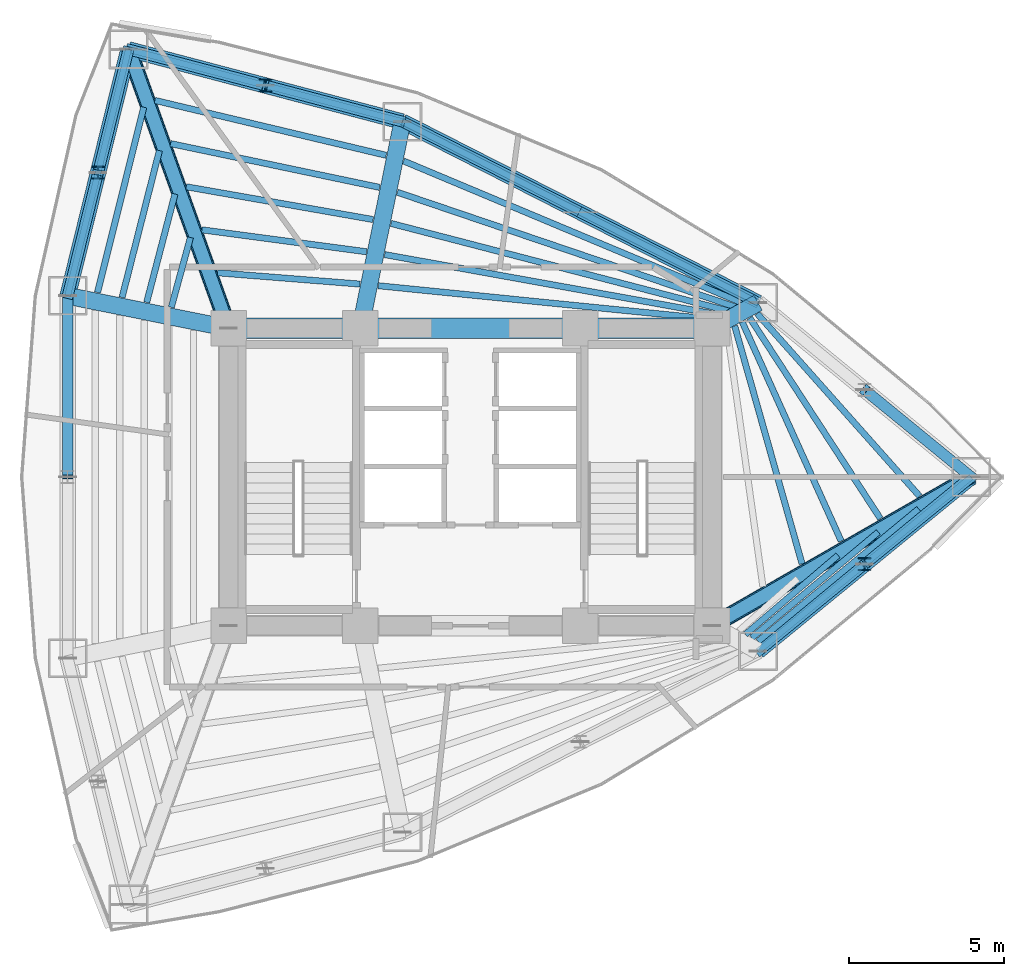
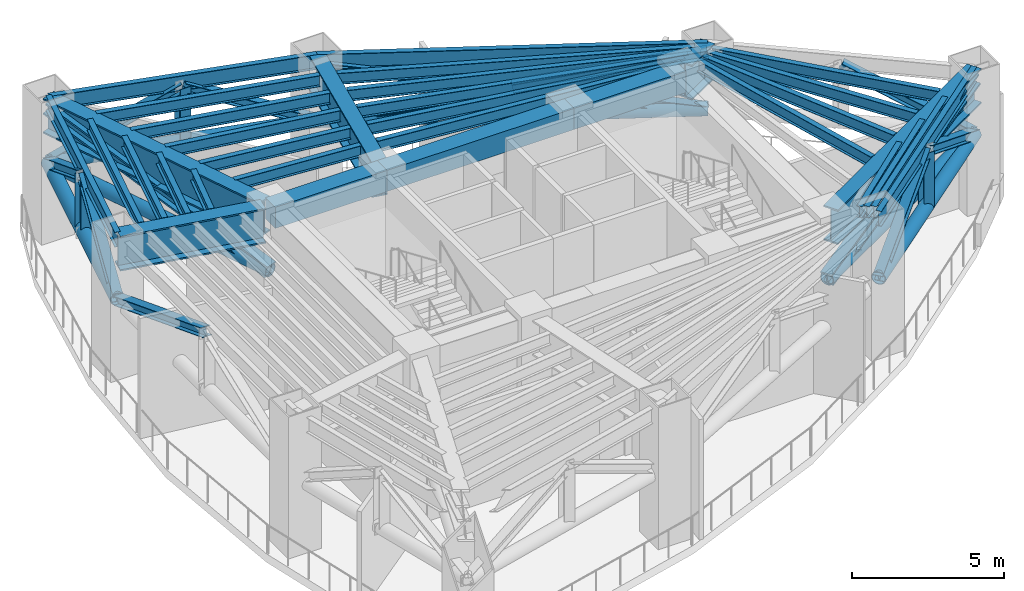
# One storey, part 2 of 7: 33 beams, 22 members.
"""IFC4 building model written with IfcOpenShell, lengths in metres."""

from ifc_helpers import new_model, si_unit, direction, frame, origin, origin_2d, place, context, subcontext, project, spatial, rectangle, hollow_circle, i_section, extrude, material, material_profile, profile_set, type_object, element, save


model = new_model("IFC4")

# Units and contexts
model_context = context("Model", 3, precision=1e-05, world=origin(), true_north=direction((0.0, 1.0)))
body_context = subcontext(model_context, "Body", "Model", "MODEL_VIEW")
ifc_project = project(units=[si_unit("LENGTHUNIT", "METRE"), si_unit("AREAUNIT", "SQUARE_METRE"), si_unit("VOLUMEUNIT", "CUBIC_METRE"), si_unit("PLANEANGLEUNIT", "RADIAN"), si_unit("MASSUNIT", "GRAM", prefix="KILO")], contexts=[model_context])

# Site, building, storey
site_placement = place(None, origin())
site = spatial("IfcSite", under=ifc_project, at=site_placement, CompositionType="ELEMENT")
building_placement = place(site_placement, origin())
building = spatial("IfcBuilding", under=site, at=building_placement, Name="Menara Vayukalpa", CompositionType="ELEMENT")
storey_placement = place(building_placement, frame((0.0, 0.0, 83.39990234375)))
storey = spatial("IfcBuildingStorey", under=building, at=storey_placement, Name="L20", CompositionType="ELEMENT", Elevation=83.39990234375)

# Beams
ifc_material_1 = material(Name="Concrete C60/75", Category="concrete")
ifc_material_profile_1 = material_profile(ifc_material_1, rectangle(XDim=0.64990234375, YDim=0.85009765625, at=origin_2d()), Name="RC 650x850")
ifc_profile_set_1 = profile_set([ifc_material_profile_1], Name="Concrete C60/75")
beam_type_1 = type_object("IfcBeamType", Name="BM-CB1", PredefinedType="BEAM", material=ifc_profile_set_1)
beam_1_placement = place(storey_placement, frame((17.800048828125, 26.800048828125, 5.025146484375), z_axis=(1.0, 0.0, 0.0), x_axis=(0.0, 1.0, 0.0)))
element("IfcBeam", 1, at=beam_1_placement, inside=storey, type_object=beam_type_1, Name="L20 Core Tie Beam CBR4", PredefinedType="BEAM", context=body_context, shape_type="SweptSolid", body=[
    extrude(rectangle(XDim=0.64990234375, YDim=0.85009765625, at=origin_2d()), origin(), (0.0, 0.0, 1.0), 4.25),
])
beam_2_placement = place(storey_placement, frame((22.050048828125, 26.800048828125, 5.025146484375), z_axis=(1.0, 0.0, 0.0), x_axis=(0.0, 1.0, 0.0)))
element("IfcBeam", 2, at=beam_2_placement, inside=storey, type_object=beam_type_1, Name="L20 Core Tie Beam CBR5", PredefinedType="BEAM", context=body_context, shape_type="SweptSolid", body=[
    extrude(rectangle(XDim=0.64990234375, YDim=0.85009765625, at=origin_2d()), origin(), (0.0, 0.0, 1.0), 7.099853515625),
])
beam_3_placement = place(storey_placement, frame((29.14990234375, 26.800048828125, 5.025146484375), z_axis=(1.0, 0.0, 0.0), x_axis=(0.0, 1.0, 0.0)))
element("IfcBeam", 3, at=beam_3_placement, inside=storey, type_object=beam_type_1, Name="L20 Core Tie Beam CBR6", PredefinedType="BEAM", context=body_context, shape_type="SweptSolid", body=[
    extrude(rectangle(XDim=0.64990234375, YDim=0.85009765625, at=origin_2d()), origin(), (0.0, 0.0, 1.0), 4.25),
])
ifc_material_2 = material(Name="Steel S355", Category="steel")
ifc_material_profile_2 = material_profile(ifc_material_2, i_section(OverallWidth=0.199951171875, OverallDepth=0.449951171875, WebThickness=0.009033203125, FlangeThickness=0.013916015625, at=origin_2d()), Name="WF 450x200x9x14")
ifc_profile_set_2 = profile_set([ifc_material_profile_2], Name="Steel S355")
beam_type_2 = type_object("IfcBeamType", Name="BM-SJ1", PredefinedType="JOIST", material=ifc_profile_set_2)
beam_4_placement = place(storey_placement, frame((36.3056640625, 19.197998046875, 5.22509765625), z_axis=(-0.272611069171, 0.962124318872, 0.0), x_axis=(-0.962124318872, -0.272611069171, 0.0)))
element("IfcBeam", 4, at=beam_4_placement, inside=storey, type_object=beam_type_2, Name="L20 Secondary Floor Joist SJ01-2", PredefinedType="JOIST", context=body_context, shape_type="SweptSolid", body=[
    extrude(i_section(OverallWidth=0.199951171875, OverallDepth=0.449951171875, WebThickness=0.009033203125, FlangeThickness=0.013916015625, at=origin_2d()), origin(), (0.0, 0.0, 1.0), 7.9794921875),
])
beam_5_placement = place(storey_placement, frame((37.56787109375, 19.93115234375, 5.22509765625), z_axis=(-0.411599368392, 0.911364888472, 0.0), x_axis=(-0.911364888472, -0.411599368392, 0.0)))
element("IfcBeam", 5, at=beam_5_placement, inside=storey, type_object=beam_type_2, Name="L20 Secondary Floor Joist SJ01-3", PredefinedType="JOIST", context=body_context, shape_type="SweptSolid", body=[
    extrude(i_section(OverallWidth=0.199951171875, OverallDepth=0.449951171875, WebThickness=0.009033203125, FlangeThickness=0.013916015625, at=origin_2d()), origin(), (0.0, 0.0, 1.0), 7.759033203125),
])
beam_6_placement = place(storey_placement, frame((38.831787109375, 20.65771484375, 5.22509765625), z_axis=(-0.545356910421, 0.838203937152, 0.0), x_axis=(-0.838203937152, -0.545356910421, 0.0)))
element("IfcBeam", 6, at=beam_6_placement, inside=storey, type_object=beam_type_2, Name="L20 Secondary Floor Joist SJ01-4", PredefinedType="JOIST", context=body_context, shape_type="SweptSolid", body=[
    extrude(i_section(OverallWidth=0.199951171875, OverallDepth=0.449951171875, WebThickness=0.009033203125, FlangeThickness=0.013916015625, at=origin_2d()), origin(), (0.0, 0.0, 1.0), 7.72900390625),
])
beam_7_placement = place(storey_placement, frame((40.099609375, 21.37890625, 5.22509765625), z_axis=(-0.664647983406, 0.747156649006, 0.0), x_axis=(-0.747156649006, -0.664647983406, 0.0)))
element("IfcBeam", 7, at=beam_7_placement, inside=storey, type_object=beam_type_2, Name="L20 Secondary Floor Joist SJ01-5", PredefinedType="JOIST", context=body_context, shape_type="SweptSolid", body=[
    extrude(i_section(OverallWidth=0.199951171875, OverallDepth=0.449951171875, WebThickness=0.009033203125, FlangeThickness=0.013916015625, at=origin_2d()), origin(), (0.0, 0.0, 1.0), 7.8916015625),
])
beam_8_placement = place(storey_placement, frame((33.553466796875, 27.076416015625, 5.22509765625), z_axis=(-0.995012280758, 0.099752499419, 0.0), x_axis=(-0.099752499419, -0.995012280758, 0.0)))
element("IfcBeam", 8, at=beam_8_placement, inside=storey, type_object=beam_type_2, Name="L20 Secondary Floor Joist SJ02-1", PredefinedType="JOIST", context=body_context, shape_type="SweptSolid", body=[
    extrude(i_section(OverallWidth=0.199951171875, OverallDepth=0.449951171875, WebThickness=0.009033203125, FlangeThickness=0.013916015625, at=origin_2d()), origin(), (0.0, 0.0, 1.0), 10.979248046875),
])
beam_9_placement = place(storey_placement, frame((33.759521484375, 27.21142578125, 5.22509765625), z_axis=(-0.984203565872, 0.177040506452, 0.0), x_axis=(-0.177040506452, -0.984203565872, 0.0)))
element("IfcBeam", 9, at=beam_9_placement, inside=storey, type_object=beam_type_2, Name="L20 Secondary Floor Joist SJ02-2", PredefinedType="JOIST", context=body_context, shape_type="SweptSolid", body=[
    extrude(i_section(OverallWidth=0.199951171875, OverallDepth=0.449951171875, WebThickness=0.009033203125, FlangeThickness=0.013916015625, at=origin_2d()), origin(), (0.0, 0.0, 1.0), 11.099609375),
])
beam_10_placement = place(storey_placement, frame((33.96728515625, 27.345458984375, 5.22509765625), z_axis=(-0.967920388611, 0.251257082111, 0.0), x_axis=(-0.251257082111, -0.967920388611, 0.0)))
element("IfcBeam", 10, at=beam_10_placement, inside=storey, type_object=beam_type_2, Name="L20 Secondary Floor Joist SJ02-3", PredefinedType="JOIST", context=body_context, shape_type="SweptSolid", body=[
    extrude(i_section(OverallWidth=0.199951171875, OverallDepth=0.449951171875, WebThickness=0.009033203125, FlangeThickness=0.013916015625, at=origin_2d()), origin(), (0.0, 0.0, 1.0), 11.289794921875),
])
beam_11_placement = place(storey_placement, frame((34.17626953125, 27.478271484375, 5.22509765625), z_axis=(-0.946950205184, 0.321380318163, 0.0), x_axis=(-0.321380318163, -0.946950205184, 0.0)))
element("IfcBeam", 11, at=beam_11_placement, inside=storey, type_object=beam_type_2, Name="L20 Secondary Floor Joist SJ02-4", PredefinedType="JOIST", context=body_context, shape_type="SweptSolid", body=[
    extrude(i_section(OverallWidth=0.199951171875, OverallDepth=0.449951171875, WebThickness=0.009033203125, FlangeThickness=0.013916015625, at=origin_2d()), origin(), (0.0, 0.0, 1.0), 11.546142578125),
])
beam_12_placement = place(storey_placement, frame((34.386474609375, 27.609619140625, 5.22509765625), z_axis=(-0.922218053234, 0.386670224208, 0.0), x_axis=(-0.386670224208, -0.922218053234, 0.0)))
element("IfcBeam", 12, at=beam_12_placement, inside=storey, type_object=beam_type_2, Name="L20 Secondary Floor Joist SJ02-5", PredefinedType="JOIST", context=body_context, shape_type="SweptSolid", body=[
    extrude(i_section(OverallWidth=0.199951171875, OverallDepth=0.449951171875, WebThickness=0.009033203125, FlangeThickness=0.013916015625, at=origin_2d()), origin(), (0.0, 0.0, 1.0), 11.864501953125),
])
beam_13_placement = place(storey_placement, frame((22.041259765625, 28.224365234375, 5.22509765625), z_axis=(-0.996868572294, 0.079076226346, 0.0), x_axis=(-0.079076226346, -0.996868572294, 0.0)))
element("IfcBeam", 13, at=beam_13_placement, inside=storey, type_object=beam_type_2, Name="L20 Secondary Floor Joist SJ03-1", PredefinedType="JOIST", context=body_context, shape_type="SweptSolid", body=[
    extrude(i_section(OverallWidth=0.199951171875, OverallDepth=0.449951171875, WebThickness=0.009033203125, FlangeThickness=0.013916015625, at=origin_2d()), origin(), (0.0, 0.0, 1.0), 4.612548828125),
])
beam_14_placement = place(storey_placement, frame((22.252197265625, 29.267578125, 5.22509765625), z_axis=(-0.99124141791, 0.132062301279, 0.0), x_axis=(-0.132062301279, -0.99124141791, 0.0)))
element("IfcBeam", 14, at=beam_14_placement, inside=storey, type_object=beam_type_2, Name="L20 Secondary Floor Joist SJ03-2", PredefinedType="JOIST", context=body_context, shape_type="SweptSolid", body=[
    extrude(i_section(OverallWidth=0.199951171875, OverallDepth=0.449951171875, WebThickness=0.009033203125, FlangeThickness=0.013916015625, at=origin_2d()), origin(), (0.0, 0.0, 1.0), 5.361083984375),
])
beam_15_placement = place(storey_placement, frame((22.46337890625, 30.30712890625, 5.22509765625), z_axis=(-0.984946902455, 0.172857164574, 0.0), x_axis=(-0.172857164574, -0.984946902455, 0.0)))
element("IfcBeam", 15, at=beam_15_placement, inside=storey, type_object=beam_type_2, Name="L20 Secondary Floor Joist SJ03-3", PredefinedType="JOIST", context=body_context, shape_type="SweptSolid", body=[
    extrude(i_section(OverallWidth=0.199951171875, OverallDepth=0.449951171875, WebThickness=0.009033203125, FlangeThickness=0.013916015625, at=origin_2d()), origin(), (0.0, 0.0, 1.0), 6.122802734375),
])
beam_16_placement = place(storey_placement, frame((22.674560546875, 31.34423828125, 5.22509765625), z_axis=(-0.978749978806, 0.205057257826, 0.0), x_axis=(-0.205057257826, -0.978749978806, 0.0)))
element("IfcBeam", 16, at=beam_16_placement, inside=storey, type_object=beam_type_2, Name="L20 Secondary Floor Joist SJ03-4", PredefinedType="JOIST", context=body_context, shape_type="SweptSolid", body=[
    extrude(i_section(OverallWidth=0.199951171875, OverallDepth=0.449951171875, WebThickness=0.009033203125, FlangeThickness=0.013916015625, at=origin_2d()), origin(), (0.0, 0.0, 1.0), 6.8935546875),
])
beam_17_placement = place(storey_placement, frame((22.8857421875, 32.37939453125, 5.22509765625), z_axis=(-0.97293037885, 0.23109841607, 0.0), x_axis=(-0.23109841607, -0.97293037885, 0.0)))
element("IfcBeam", 17, at=beam_17_placement, inside=storey, type_object=beam_type_2, Name="L20 Secondary Floor Joist SJ03-5", PredefinedType="JOIST", context=body_context, shape_type="SweptSolid", body=[
    extrude(i_section(OverallWidth=0.199951171875, OverallDepth=0.449951171875, WebThickness=0.009033203125, FlangeThickness=0.013916015625, at=origin_2d()), origin(), (0.0, 0.0, 1.0), 7.6708984375),
])
beam_18_placement = place(storey_placement, frame((16.56787109375, 29.72998046875, 5.22509765625), z_axis=(-0.263929403048, -0.96454200023, 0.0), x_axis=(0.96454200023, -0.263929403048, 0.0)))
element("IfcBeam", 18, at=beam_18_placement, inside=storey, type_object=beam_type_2, Name="L20 Secondary Floor Joist SJ04-2", PredefinedType="JOIST", context=body_context, shape_type="SweptSolid", body=[
    extrude(i_section(OverallWidth=0.199951171875, OverallDepth=0.449951171875, WebThickness=0.009033203125, FlangeThickness=0.013916015625, at=origin_2d()), origin(), (0.0, 0.0, 1.0), 2.34033203125),
])
beam_19_placement = place(storey_placement, frame((16.06787109375, 31.130859375, 5.22509765625), z_axis=(-0.252438391899, -0.967612969268, 0.0), x_axis=(0.967612969268, -0.252438391899, 0.0)))
element("IfcBeam", 19, at=beam_19_placement, inside=storey, type_object=beam_type_2, Name="L20 Secondary Floor Joist SJ04-3", PredefinedType="JOIST", context=body_context, shape_type="SweptSolid", body=[
    extrude(i_section(OverallWidth=0.199951171875, OverallDepth=0.449951171875, WebThickness=0.009033203125, FlangeThickness=0.013916015625, at=origin_2d()), origin(), (0.0, 0.0, 1.0), 3.615234375),
])
beam_20_placement = place(storey_placement, frame((15.566162109375, 32.532470703125, 5.22509765625), z_axis=(-0.246269228138, -0.969201458559, 0.0), x_axis=(0.969201458559, -0.246269228138, 0.0)))
element("IfcBeam", 20, at=beam_20_placement, inside=storey, type_object=beam_type_2, Name="L20 Secondary Floor Joist SJ04-4", PredefinedType="JOIST", context=body_context, shape_type="SweptSolid", body=[
    extrude(i_section(OverallWidth=0.199951171875, OverallDepth=0.449951171875, WebThickness=0.009033203125, FlangeThickness=0.013916015625, at=origin_2d()), origin(), (0.0, 0.0, 1.0), 4.890380859375),
])
beam_21_placement = place(storey_placement, frame((15.06396484375, 33.93408203125, 5.22509765625), z_axis=(-0.242489040625, -0.97015414506, 0.0), x_axis=(0.97015414506, -0.242489040625, 0.0)))
element("IfcBeam", 21, at=beam_21_placement, inside=storey, type_object=beam_type_2, Name="L20 Secondary Floor Joist SJ04-5", PredefinedType="JOIST", context=body_context, shape_type="SweptSolid", body=[
    extrude(i_section(OverallWidth=0.199951171875, OverallDepth=0.449951171875, WebThickness=0.009033203125, FlangeThickness=0.013916015625, at=origin_2d()), origin(), (0.0, 0.0, 1.0), 6.165771484375),
])
beam_22_placement = place(storey_placement, frame((34.477294921875, 16.920166015625, 5.22509765625), z_axis=(0.760566747736, 0.649259749436, 0.0), x_axis=(-0.649259749436, 0.760566747736, 0.0)))
element("IfcBeam", 22, at=beam_22_placement, inside=storey, type_object=beam_type_2, Name="L20 Secondary Floor Joist SJ09-3", PredefinedType="JOIST", context=body_context, shape_type="SweptSolid", body=[
    extrude(i_section(OverallWidth=0.199951171875, OverallDepth=0.449951171875, WebThickness=0.009033203125, FlangeThickness=0.013916015625, at=origin_2d()), origin(), (0.0, 0.0, 1.0), 3.928466796875),
])
beam_23_placement = place(storey_placement, frame((34.681884765625, 16.805908203125, 5.22509765625), z_axis=(0.767152769345, 0.641464440548, 0.0), x_axis=(-0.641464440548, 0.767152769345, 0.0)))
element("IfcBeam", 23, at=beam_23_placement, inside=storey, type_object=beam_type_2, Name="L20 Secondary Floor Joist SJ09-4", PredefinedType="JOIST", context=body_context, shape_type="SweptSolid", body=[
    extrude(i_section(OverallWidth=0.199951171875, OverallDepth=0.449951171875, WebThickness=0.009033203125, FlangeThickness=0.013916015625, at=origin_2d()), origin(), (0.0, 0.0, 1.0), 5.32421875),
])
beam_24_placement = place(storey_placement, frame((34.885986328125, 16.6923828125, 5.22509765625), z_axis=(0.771164136827, 0.636636375077, 0.0), x_axis=(-0.636636375077, 0.771164136827, 0.0)))
element("IfcBeam", 24, at=beam_24_placement, inside=storey, type_object=beam_type_2, Name="L20 Secondary Floor Joist SJ09-5", PredefinedType="JOIST", context=body_context, shape_type="SweptSolid", body=[
    extrude(i_section(OverallWidth=0.199951171875, OverallDepth=0.449951171875, WebThickness=0.009033203125, FlangeThickness=0.013916015625, at=origin_2d()), origin(), (0.0, 0.0, 1.0), 6.72021484375),
])
ifc_material_3 = material(Name="Steel S355", Category="steel")
ifc_material_profile_3 = material_profile(ifc_material_3, i_section(OverallWidth=0.199951171875, OverallDepth=0.60009765625, WebThickness=0.010986328125, FlangeThickness=0.01708984375, at=origin_2d()), Name="WF 600x200x11x17")
ifc_profile_set_3 = profile_set([ifc_material_profile_3], Name="Steel S355")
beam_type_3 = type_object("IfcBeamType", Name="BM-SP1", PredefinedType="SPANDREL", material=ifc_profile_set_3)
beam_25_placement = place(storey_placement, frame((34.88671875, 27.62158203125, 5.150146484375), z_axis=(-0.891097345221, 0.453812209333, 0.0), x_axis=(-0.453812209333, -0.891097345221, 0.0)))
element("IfcBeam", 25, at=beam_25_placement, inside=storey, type_object=beam_type_3, Name="L20 Perimeter Spandrel Beam SP02", PredefinedType="SPANDREL", context=body_context, shape_type="SweptSolid", body=[
    extrude(i_section(OverallWidth=0.199951171875, OverallDepth=0.60009765625, WebThickness=0.010986328125, FlangeThickness=0.01708984375, at=origin_2d()), origin(), (0.0, 0.0, 1.0), 12.88134765625),
])
beam_26_placement = place(storey_placement, frame((23.408203125, 33.46728515625, 5.150146484375), z_axis=(-0.966966857313, 0.254902131921, 0.0), x_axis=(-0.254902131921, -0.966966857313, 0.0)))
element("IfcBeam", 26, at=beam_26_placement, inside=storey, type_object=beam_type_3, Name="L20 Perimeter Spandrel Beam SP03", PredefinedType="SPANDREL", context=body_context, shape_type="SweptSolid", body=[
    extrude(i_section(OverallWidth=0.199951171875, OverallDepth=0.60009765625, WebThickness=0.010986328125, FlangeThickness=0.01708984375, at=origin_2d()), origin(), (0.0, 0.0, 1.0), 9.14111328125),
])
beam_27_placement = place(storey_placement, frame((14.569091796875, 35.79736328125, 5.150146484375), z_axis=(-0.239602739234, -0.970871014786, 0.0), x_axis=(0.970871014786, -0.239602739234, 0.0)))
element("IfcBeam", 27, at=beam_27_placement, inside=storey, type_object=beam_type_3, Name="L20 Perimeter Spandrel Beam SP04", PredefinedType="SPANDREL", context=body_context, shape_type="SweptSolid", body=[
    extrude(i_section(OverallWidth=0.199951171875, OverallDepth=0.60009765625, WebThickness=0.010986328125, FlangeThickness=0.01708984375, at=origin_2d()), origin(), (0.0, 0.0, 1.0), 8.190185546875),
])
beam_28_placement = place(storey_placement, frame((34.88671875, 16.37841796875, 5.150146484375), z_axis=(0.774156906301, 0.632993747541, 0.0), x_axis=(-0.632993747541, 0.774156906301, 0.0)))
element("IfcBeam", 28, at=beam_28_placement, inside=storey, type_object=beam_type_3, Name="L20 Perimeter Spandrel Beam SP09", PredefinedType="SPANDREL", context=body_context, shape_type="SweptSolid", body=[
    extrude(i_section(OverallWidth=0.199951171875, OverallDepth=0.60009765625, WebThickness=0.010986328125, FlangeThickness=0.01708984375, at=origin_2d()), origin(), (0.0, 0.0, 1.0), 8.880859375),
])
ifc_material_4 = material(Name="Steel S460", Category="steel")
ifc_material_profile_4 = material_profile(ifc_material_4, i_section(OverallWidth=0.550048828125, OverallDepth=1.39990234375, WebThickness=0.031982421875, FlangeThickness=0.06005859375, at=origin_2d()), Name="WG 1400x550x32x60")
ifc_profile_set_4 = profile_set([ifc_material_profile_4], Name="Steel S460")
beam_type_4 = type_object("IfcBeamType", Name="BM-TG1", PredefinedType="BEAM", material=ifc_profile_set_4)
beam_29_placement = place(storey_placement, frame((33.61669921875, 17.324462890625, 4.75), z_axis=(0.867273673572, 0.497831673488, 0.0), x_axis=(-0.497831673488, 0.867273673572, 0.0)))
element("IfcBeam", 29, at=beam_29_placement, inside=storey, type_object=beam_type_4, Name="L20 Primary Radial Girder RG01", PredefinedType="BEAM", context=body_context, shape_type="SweptSolid", body=[
    extrude(i_section(OverallWidth=0.550048828125, OverallDepth=1.39990234375, WebThickness=0.031982421875, FlangeThickness=0.06005859375, at=origin_2d()), origin(), (0.0, 0.0, 1.0), 9.391845703125),
])
beam_30_placement = place(storey_placement, frame((33.618896484375, 26.9208984375, 4.75), z_axis=(0.875228391676, 0.48370989488, 0.0), x_axis=(-0.48370989488, 0.875228391676, 0.0)))
element("IfcBeam", 30, at=beam_30_placement, inside=storey, type_object=beam_type_4, Name="L20 Primary Radial Girder RG02", PredefinedType="BEAM", context=body_context, shape_type="SweptSolid", body=[
    extrude(i_section(OverallWidth=0.550048828125, OverallDepth=1.39990234375, WebThickness=0.031982421875, FlangeThickness=0.06005859375, at=origin_2d()), origin(), (0.0, 0.0, 1.0), 1.448486328125),
])
beam_31_placement = place(storey_placement, frame((22.099853515625, 27.044921875, 4.75), z_axis=(0.199617728418, 0.9798738503, 0.0), x_axis=(-0.9798738503, 0.199617728418, 0.0)))
element("IfcBeam", 31, at=beam_31_placement, inside=storey, type_object=beam_type_4, Name="L20 Primary Radial Girder RG03", PredefinedType="BEAM", context=body_context, shape_type="SweptSolid", body=[
    extrude(i_section(OverallWidth=0.550048828125, OverallDepth=1.39990234375, WebThickness=0.031982421875, FlangeThickness=0.06005859375, at=origin_2d()), origin(), (0.0, 0.0, 1.0), 6.55419921875),
])
beam_32_placement = place(storey_placement, frame((17.715576171875, 27.035400390625, 4.75), z_axis=(-0.337975542909, 0.941154892882, 0.0), x_axis=(-0.941154892882, -0.337975542909, 0.0)))
element("IfcBeam", 32, at=beam_32_placement, inside=storey, type_object=beam_type_4, Name="L20 Primary Radial Girder RG04", PredefinedType="BEAM", context=body_context, shape_type="SweptSolid", body=[
    extrude(i_section(OverallWidth=0.550048828125, OverallDepth=1.39990234375, WebThickness=0.031982421875, FlangeThickness=0.06005859375, at=origin_2d()), origin(), (0.0, 0.0, 1.0), 9.309814453125),
])
beam_33_placement = place(storey_placement, frame((17.554931640625, 26.849365234375, 4.75), z_axis=(-0.980324984906, 0.197390283373, 0.0), x_axis=(-0.197390283373, -0.980324984906, 0.0)))
element("IfcBeam", 33, at=beam_33_placement, inside=storey, type_object=beam_type_4, Name="L20 Primary Radial Girder RG05", PredefinedType="BEAM", context=body_context, shape_type="SweptSolid", body=[
    extrude(i_section(OverallWidth=0.550048828125, OverallDepth=1.39990234375, WebThickness=0.031982421875, FlangeThickness=0.06005859375, at=origin_2d()), origin(), (0.0, 0.0, 1.0), 5.047607421875),
])

# Members
ifc_material_5 = material(Name="Steel S355", Category="steel")
ifc_material_profile_5 = material_profile(ifc_material_5, i_section(OverallWidth=0.35009765625, OverallDepth=0.35009765625, WebThickness=0.011962890625, FlangeThickness=0.01904296875, at=origin_2d()), Name="H 350x350x12x19")
ifc_profile_set_5 = profile_set([ifc_material_profile_5], Name="Steel S355")
member_type_1 = type_object("IfcMemberType", Name="MEM-BT1", PredefinedType="BRACE", material=ifc_profile_set_5)
member_1_placement = place(storey_placement, frame((41.761962890625, 22.0, 2.75), z_axis=(-0.690578398811, 0.564635260671, 0.451982850894), x_axis=(-0.632980276437, -0.77416792083, 0.0)))
element("IfcMember", 34, at=member_1_placement, inside=storey, type_object=member_type_1, Name="L20 Belt Truss Diagonal A01", PredefinedType="BRACE", context=body_context, shape_type="SweptSolid", body=[
    extrude(i_section(OverallWidth=0.35009765625, OverallDepth=0.35009765625, WebThickness=0.011962890625, FlangeThickness=0.01904296875, at=origin_2d()), origin(), (0.0, 0.0, 1.0), 4.97802734375),
])
member_2_placement = place(storey_placement, frame((34.88671875, 27.62158203125, 2.75), z_axis=(-0.877806959753, 0.447043769022, 0.172066295327), x_axis=(-0.453812209333, -0.891097345221, 0.0)))
element("IfcMember", 35, at=member_2_placement, inside=storey, type_object=member_type_1, Name="L20 Belt X-Brace Continuous Diagonal 02", PredefinedType="BRACE", context=body_context, shape_type="SweptSolid", body=[
    extrude(i_section(OverallWidth=0.35009765625, OverallDepth=0.35009765625, WebThickness=0.011962890625, FlangeThickness=0.01904296875, at=origin_2d()), origin(), (0.0, 0.0, 1.0), 13.076416015625),
])
member_3_placement = place(storey_placement, frame((23.408203125, 33.46728515625, 2.75), z_axis=(0.877821612706, -0.447013889982, 0.172069167575), x_axis=(0.453782109022, 0.89111267387, 0.0)))
element("IfcMember", 36, at=member_3_placement, inside=storey, type_object=member_type_1, Name="L20 Belt X-Brace Split Lower Diagonal 02A", PredefinedType="BRACE", context=body_context, shape_type="SweptSolid", body=[
    extrude(i_section(OverallWidth=0.35009765625, OverallDepth=0.35009765625, WebThickness=0.011962890625, FlangeThickness=0.01904296875, at=origin_2d()), origin(), (0.0, 0.0, 1.0), 6.5380859375),
])
member_4_placement = place(storey_placement, frame((29.1474609375, 30.544677734375, 3.875), z_axis=(0.877792306311, -0.447073646565, 0.172063422983), x_axis=(0.45384230809, 0.891082016084, 0.0)))
element("IfcMember", 37, at=member_4_placement, inside=storey, type_object=member_type_1, Name="L20 Belt X-Brace Split Upper Diagonal 02B", PredefinedType="BRACE", context=body_context, shape_type="SweptSolid", body=[
    extrude(i_section(OverallWidth=0.35009765625, OverallDepth=0.35009765625, WebThickness=0.011962890625, FlangeThickness=0.01904296875, at=origin_2d()), origin(), (0.0, 0.0, 1.0), 6.538330078125),
])
member_5_placement = place(storey_placement, frame((23.408203125, 33.46728515625, 2.75), z_axis=(-0.867548467554, 0.228688133854, 0.441657552725), x_axis=(-0.254895549021, -0.966968592608, 0.0)))
element("IfcMember", 38, at=member_5_placement, inside=storey, type_object=member_type_1, Name="L20 Belt Truss Diagonal A03", PredefinedType="BRACE", context=body_context, shape_type="SweptSolid", body=[
    extrude(i_section(OverallWidth=0.35009765625, OverallDepth=0.35009765625, WebThickness=0.011962890625, FlangeThickness=0.01904296875, at=origin_2d()), origin(), (0.0, 0.0, 1.0), 5.094482421875),
])
member_6_placement = place(storey_placement, frame((14.569091796875, 35.79736328125, 2.75), z_axis=(0.86753661262, -0.228697641997, 0.441675915474), x_axis=(0.254908715149, 0.966965121884, 0.0)))
element("IfcMember", 39, at=member_6_placement, inside=storey, type_object=member_type_1, Name="L20 Belt Truss Diagonal B03", PredefinedType="BRACE", context=body_context, shape_type="SweptSolid", body=[
    extrude(i_section(OverallWidth=0.35009765625, OverallDepth=0.35009765625, WebThickness=0.011962890625, FlangeThickness=0.01904296875, at=origin_2d()), origin(), (0.0, 0.0, 1.0), 5.09423828125),
])
for number, where, z_axis, x_axis, name in (
    (40, (14.569091796875, 35.79736328125, 2.75), (-0.209993821635, -0.85089559227, 0.481538457375), (0.970871014786, -0.239602739234, 0.0), "L20 Belt Truss Diagonal A04"),
    (41, (12.606689453125, 27.845703125, 2.75), (0.209993821635, 0.85089559227, 0.481538457375), (-0.970871014786, 0.239602739234, 0.0), "L20 Belt Truss Diagonal B04"),
):
    element("IfcMember", number, at=place(storey_placement, frame(where, z_axis=z_axis, x_axis=x_axis)), inside=storey, type_object=member_type_1, Name=name, PredefinedType="BRACE", context=body_context, shape_type="SweptSolid", body=[
        extrude(i_section(OverallWidth=0.35009765625, OverallDepth=0.35009765625, WebThickness=0.011962890625, FlangeThickness=0.01904296875, at=origin_2d()), origin(), (0.0, 0.0, 1.0), 4.672607421875),
    ])
member_7_placement = place(storey_placement, frame((12.606689453125, 27.845703125, 2.75), z_axis=(0.0, -0.933257177228, 0.359208910179), x_axis=(1.0, 0.0, 0.0)))
element("IfcMember", 42, at=member_7_placement, inside=storey, type_object=member_type_1, Name="L20 Belt Truss Diagonal A05", PredefinedType="BRACE", context=body_context, shape_type="SweptSolid", body=[
    extrude(i_section(OverallWidth=0.35009765625, OverallDepth=0.35009765625, WebThickness=0.011962890625, FlangeThickness=0.01904296875, at=origin_2d()), origin(), (0.0, 0.0, 1.0), 6.263671875),
])
member_8_placement = place(storey_placement, frame((34.88671875, 16.37841796875, 2.75), z_axis=(0.690552742896, 0.56465438416, 0.451998158987), x_axis=(-0.633007219026, 0.77414589107, 0.0)))
element("IfcMember", 43, at=member_8_placement, inside=storey, type_object=member_type_1, Name="L20 Belt Truss Diagonal A09", PredefinedType="BRACE", context=body_context, shape_type="SweptSolid", body=[
    extrude(i_section(OverallWidth=0.35009765625, OverallDepth=0.35009765625, WebThickness=0.011962890625, FlangeThickness=0.01904296875, at=origin_2d()), origin(), (0.0, 0.0, 1.0), 4.977783203125),
])
member_9_placement = place(storey_placement, frame((41.761962890625, 22.0, 2.75), z_axis=(-0.690578398811, -0.564635260671, 0.451982850894), x_axis=(0.632980276437, -0.77416792083, 0.0)))
element("IfcMember", 44, at=member_9_placement, inside=storey, type_object=member_type_1, Name="L20 Belt Truss Diagonal B09", PredefinedType="BRACE", context=body_context, shape_type="SweptSolid", body=[
    extrude(i_section(OverallWidth=0.35009765625, OverallDepth=0.35009765625, WebThickness=0.011962890625, FlangeThickness=0.01904296875, at=origin_2d()), origin(), (0.0, 0.0, 1.0), 4.97802734375),
])
ifc_material_6 = material(Name="Steel S460", Category="steel")
ifc_material_profile_6 = material_profile(ifc_material_6, hollow_circle(Radius=0.25390625, WallThickness=0.02490234375, at=origin_2d()), Name="CHS 508.0x25")
ifc_profile_set_6 = profile_set([ifc_material_profile_6], Name="Steel S460")
member_type_2 = type_object("IfcMemberType", Name="MEM-CH1", PredefinedType="CHORD", material=ifc_profile_set_6)
member_10_placement = place(storey_placement, frame((33.39990234375, 17.199951171875, 2.75), z_axis=(0.86727071064, 0.497836835184, 0.0), x_axis=(-0.497836835184, 0.86727071064, 0.0)))
element("IfcMember", 45, at=member_10_placement, inside=storey, type_object=member_type_2, Name="L20 Outrigger Bottom Chord 01", PredefinedType="CHORD", context=body_context, shape_type="SweptSolid", body=[
    extrude(hollow_circle(Radius=0.25390625, WallThickness=0.02490234375, at=origin_2d()), origin(), (0.0, 0.0, 1.0), 9.641845703125),
])
member_11_placement = place(storey_placement, frame((17.800048828125, 26.800048828125, 2.75), z_axis=(-0.337971485011, 0.941156350092, 0.0), x_axis=(-0.941156350092, -0.337971485011, 0.0)))
element("IfcMember", 46, at=member_11_placement, inside=storey, type_object=member_type_2, Name="L20 Outrigger Bottom Chord 04", PredefinedType="CHORD", context=body_context, shape_type="SweptSolid", body=[
    extrude(hollow_circle(Radius=0.25390625, WallThickness=0.02490234375, at=origin_2d()), origin(), (0.0, 0.0, 1.0), 9.559814453125),
])
member_12_placement = place(storey_placement, frame((34.88671875, 27.62158203125, 2.75), z_axis=(-0.891097345221, 0.453812209333, 0.0), x_axis=(-0.453812209333, -0.891097345221, 0.0)))
element("IfcMember", 47, at=member_12_placement, inside=storey, type_object=member_type_2, Name="L20 Belt Truss Bottom Chord 02", PredefinedType="CHORD", context=body_context, shape_type="SweptSolid", body=[
    extrude(hollow_circle(Radius=0.25390625, WallThickness=0.02490234375, at=origin_2d()), origin(), (0.0, 0.0, 1.0), 12.88134765625),
])
member_13_placement = place(storey_placement, frame((23.408203125, 33.46728515625, 2.75), z_axis=(-0.966966857313, 0.254902131921, 0.0), x_axis=(-0.254902131921, -0.966966857313, 0.0)))
element("IfcMember", 48, at=member_13_placement, inside=storey, type_object=member_type_2, Name="L20 Belt Truss Bottom Chord 03", PredefinedType="CHORD", context=body_context, shape_type="SweptSolid", body=[
    extrude(hollow_circle(Radius=0.25390625, WallThickness=0.02490234375, at=origin_2d()), origin(), (0.0, 0.0, 1.0), 9.14111328125),
])
member_14_placement = place(storey_placement, frame((14.569091796875, 35.79736328125, 2.75), z_axis=(-0.239602739234, -0.970871014786, 0.0), x_axis=(0.970871014786, -0.239602739234, 0.0)))
element("IfcMember", 49, at=member_14_placement, inside=storey, type_object=member_type_2, Name="L20 Belt Truss Bottom Chord 04", PredefinedType="CHORD", context=body_context, shape_type="SweptSolid", body=[
    extrude(hollow_circle(Radius=0.25390625, WallThickness=0.02490234375, at=origin_2d()), origin(), (0.0, 0.0, 1.0), 8.190185546875),
])
member_15_placement = place(storey_placement, frame((34.88671875, 16.37841796875, 2.75), z_axis=(0.774156906301, 0.632993747541, 0.0), x_axis=(-0.632993747541, 0.774156906301, 0.0)))
element("IfcMember", 50, at=member_15_placement, inside=storey, type_object=member_type_2, Name="L20 Belt Truss Bottom Chord 09", PredefinedType="CHORD", context=body_context, shape_type="SweptSolid", body=[
    extrude(hollow_circle(Radius=0.25390625, WallThickness=0.02490234375, at=origin_2d()), origin(), (0.0, 0.0, 1.0), 8.880859375),
])
ifc_material_7 = material(Name="Steel S460", Category="steel")
ifc_material_profile_7 = material_profile(ifc_material_7, i_section(OverallWidth=0.431884765625, OverallDepth=0.498046875, WebThickness=0.044921875, FlangeThickness=0.070068359375, at=origin_2d()), Name="H 498x432x45x70")
ifc_profile_set_7 = profile_set([ifc_material_profile_7], Name="Steel S460")
member_type_3 = type_object("IfcMemberType", Name="MEM-OT1", PredefinedType="BRACE", material=ifc_profile_set_7)
member_16_placement = place(storey_placement, frame((33.39990234375, 17.199951171875, 2.75), z_axis=(0.844579227642, 0.484811310463, 0.227252990043), x_axis=(-0.497836835184, 0.86727071064, 0.0)))
element("IfcMember", 51, at=member_16_placement, inside=storey, type_object=member_type_3, Name="L20 Outrigger Truss Diagonal 01", PredefinedType="BRACE", context=body_context, shape_type="SweptSolid", body=[
    extrude(i_section(OverallWidth=0.431884765625, OverallDepth=0.498046875, WebThickness=0.044921875, FlangeThickness=0.070068359375, at=origin_2d()), origin(), (0.0, 0.0, 1.0), 9.90087890625),
])
member_17_placement = place(storey_placement, frame((17.800048828125, 26.800048828125, 2.75), z_axis=(-0.328982463092, 0.916124430433, 0.229099469538), x_axis=(-0.941156350092, -0.337971485011, 0.0)))
element("IfcMember", 52, at=member_17_placement, inside=storey, type_object=member_type_3, Name="L20 Outrigger Truss Diagonal 04", PredefinedType="BRACE", context=body_context, shape_type="SweptSolid", body=[
    extrude(i_section(OverallWidth=0.431884765625, OverallDepth=0.498046875, WebThickness=0.044921875, FlangeThickness=0.070068359375, at=origin_2d()), origin(), (0.0, 0.0, 1.0), 9.821044921875),
])
ifc_material_8 = material(Name="Steel S355", Category="steel")
ifc_material_profile_8 = material_profile(ifc_material_8, i_section(OverallWidth=0.39990234375, OverallDepth=0.39990234375, WebThickness=0.012939453125, FlangeThickness=0.02099609375, at=origin_2d()), Name="H 400x400x13x21")
ifc_profile_set_8 = profile_set([ifc_material_profile_8], Name="Steel S355")
member_type_4 = type_object("IfcMemberType", Name="MEM-ST1", PredefinedType="STRUT", material=ifc_profile_set_8)
for number, where, z_axis, x_axis, name in (
    (53, (18.988525390625, 34.63232421875, 2.75), (0.0, 0.0, 1.0), (1.0, 0.0, 0.0), "L20 Belt Truss Vertical Strut 03"),
    (54, (13.587890625, 31.821533203125, 2.75), (0.0, 0.0, 1.0), (1.0, 0.0, 0.0), "L20 Belt Truss Vertical Strut 04"),
    (55, (38.32421875, 19.189208984375, 2.75), (0.0, 0.0, 1.0), (1.0, 0.0, 0.0), "L20 Belt Truss Vertical Strut 09"),
):
    element("IfcMember", number, at=place(storey_placement, frame(where, z_axis=z_axis, x_axis=x_axis)), inside=storey, type_object=member_type_4, Name=name, PredefinedType="STRUT", context=body_context, shape_type="SweptSolid", body=[
        extrude(i_section(OverallWidth=0.39990234375, OverallDepth=0.39990234375, WebThickness=0.012939453125, FlangeThickness=0.02099609375, at=origin_2d()), origin(), (0.0, 0.0, 1.0), 2.25),
    ])

save(model, "model.ifc")
